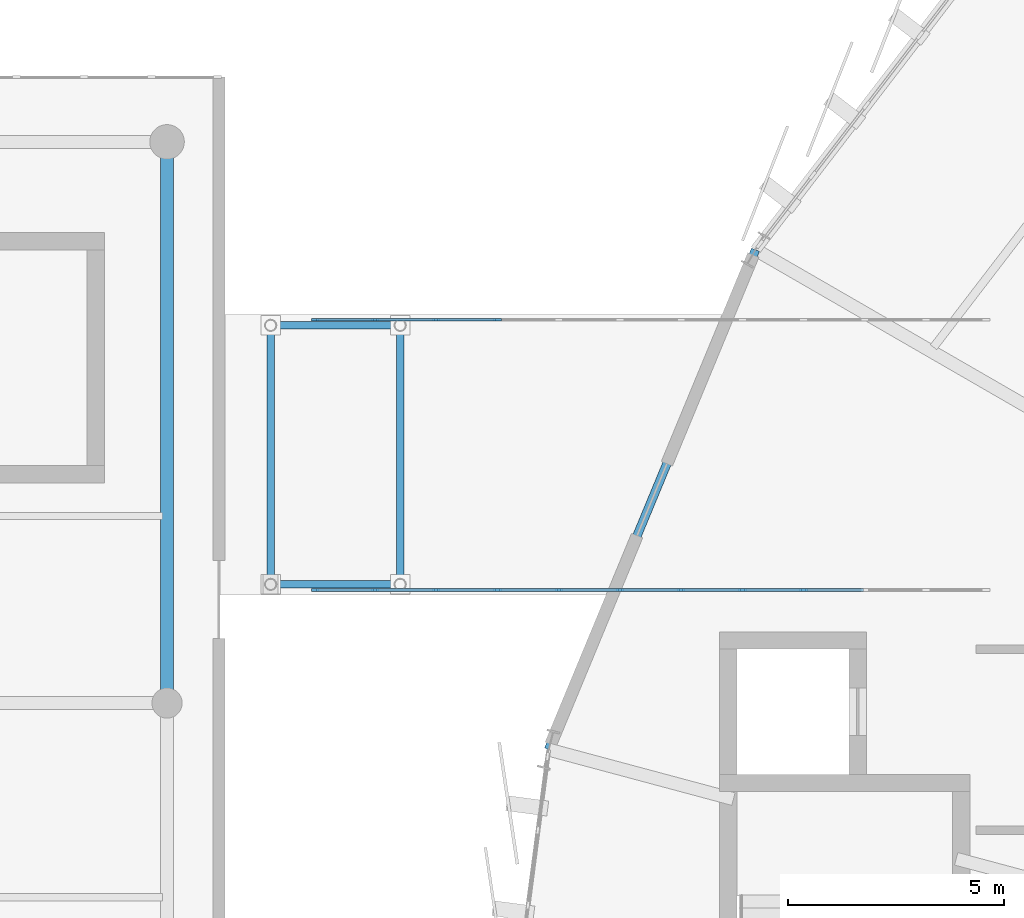
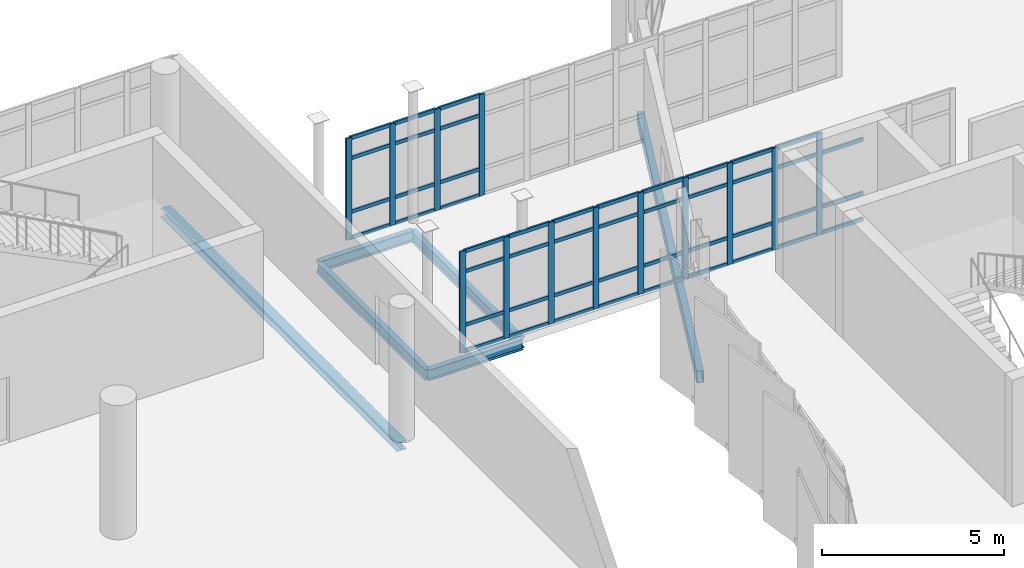
# One storey, part 48 of 134: 60 members, 6 beams, 2 elements without a shape of their own.
"""IFC4 building model written with IfcOpenShell, lengths in metres."""

from ifc_helpers import new_model, si_unit, direction, frame, origin, origin_2d, place, context, subcontext, project, spatial, rectangle, hollow_rectangle, i_section, extrude, material, layer, layer_set, material_profile, profile_set, type_object, element, aggregate, save


model = new_model("IFC4")

# Units and contexts
model_context = context("Model", 3, precision=1e-05, world=origin(), true_north=direction((0.0, 1.0)))
body_context = subcontext(model_context, "Body", "Model", "MODEL_VIEW")
ifc_project = project(units=[si_unit("LENGTHUNIT", "METRE"), si_unit("AREAUNIT", "SQUARE_METRE"), si_unit("VOLUMEUNIT", "CUBIC_METRE"), si_unit("PLANEANGLEUNIT", "RADIAN"), si_unit("MASSUNIT", "GRAM", prefix="KILO")], contexts=[model_context])

# Site, building, storey
site_placement = place(None, origin())
site = spatial("IfcSite", under=ifc_project, at=site_placement, CompositionType="ELEMENT")
building_placement = place(site_placement, origin())
building = spatial("IfcBuilding", under=site, at=building_placement, Name="Sohan Crest Arena", CompositionType="ELEMENT")
storey_placement = place(building_placement, frame((0.0, 0.0, 4.5)))
storey = spatial("IfcBuildingStorey", under=building, at=storey_placement, Name="L01", CompositionType="ELEMENT", Elevation=4.5)

# Curtain wall, members
ifc_material_1 = material(Name="Thermally broken anodised aluminium", Category="aluminium")
ifc_layer = layer(ifc_material_1, 0.18994140625, Name="Thermally broken anodised aluminium")
ifc_layer_set = layer_set([ifc_layer], Name="Thermally broken anodised aluminium")
curtain_wall_type = type_object("IfcCurtainWallType", Name="ARC-CW05", PredefinedType="NOTDEFINED", material=ifc_layer_set)
curtain_wall_1_placement = place(storey_placement, origin())
curtain_wall_1 = element("IfcCurtainWall", 1, at=curtain_wall_1_placement, inside=storey, type_object=curtain_wall_type, Name="Unitised curtain wall CW-233", PredefinedType="NOTDEFINED")
ifc_material_profile_1 = material_profile(ifc_material_1, rectangle(XDim=0.06494140625, YDim=0.179931640625, at=origin_2d()), Name="ALU-MULL 65x180")
ifc_profile_set_1 = profile_set([ifc_material_profile_1], Name="Thermally broken anodised aluminium")
member_type_1 = type_object("IfcMemberType", Name="ARC-CW-ML02", PredefinedType="MULLION", material=ifc_profile_set_1)
member_1_placement = place(storey_placement, frame((46.232421875, 94.1201171875, 0.0), z_axis=(0.0, 0.0, 1.0), x_axis=(0.0, 1.0, 0.0)))
member_1 = element("IfcMember", 2, at=member_1_placement, type_object=member_type_1, Name="CW-233 mullion 1", PredefinedType="MULLION", context=body_context, shape_type="SweptSolid", body=[
    extrude(rectangle(XDim=0.06494140625, YDim=0.179931640625, at=origin_2d()), origin(), (0.0, 0.0, 1.0), 3.39990234375),
])
member_2_placement = place(storey_placement, frame((47.6181640625, 94.1201171875, 0.0), z_axis=(0.0, 0.0, 1.0), x_axis=(0.0, 1.0, 0.0)))
member_2 = element("IfcMember", 3, at=member_2_placement, type_object=member_type_1, Name="CW-233 mullion 2", PredefinedType="MULLION", context=body_context, shape_type="SweptSolid", body=[
    extrude(rectangle(XDim=0.06494140625, YDim=0.179931640625, at=origin_2d()), origin(), (0.0, 0.0, 1.0), 3.39990234375),
])
member_3_placement = place(storey_placement, frame((49.036376953125, 94.1201171875, 0.0), z_axis=(0.0, 0.0, 1.0), x_axis=(0.0, 1.0, 0.0)))
member_3 = element("IfcMember", 4, at=member_3_placement, type_object=member_type_1, Name="CW-233 mullion 3", PredefinedType="MULLION", context=body_context, shape_type="SweptSolid", body=[
    extrude(rectangle(XDim=0.06494140625, YDim=0.179931640625, at=origin_2d()), origin(), (0.0, 0.0, 1.0), 3.39990234375),
])
member_4_placement = place(storey_placement, frame((50.45458984375, 94.1201171875, 0.0), z_axis=(0.0, 0.0, 1.0), x_axis=(0.0, 1.0, 0.0)))
member_4 = element("IfcMember", 5, at=member_4_placement, type_object=member_type_1, Name="CW-233 mullion 4", PredefinedType="MULLION", context=body_context, shape_type="SweptSolid", body=[
    extrude(rectangle(XDim=0.06494140625, YDim=0.179931640625, at=origin_2d()), origin(), (0.0, 0.0, 1.0), 3.39990234375),
])
member_5_placement = place(storey_placement, frame((51.872802734375, 94.1201171875, 0.0), z_axis=(0.0, 0.0, 1.0), x_axis=(0.0, 1.0, 0.0)))
member_5 = element("IfcMember", 6, at=member_5_placement, type_object=member_type_1, Name="CW-233 mullion 5", PredefinedType="MULLION", context=body_context, shape_type="SweptSolid", body=[
    extrude(rectangle(XDim=0.06494140625, YDim=0.179931640625, at=origin_2d()), origin(), (0.0, 0.0, 1.0), 3.39990234375),
])
member_6_placement = place(storey_placement, frame((53.291015625, 94.1201171875, 0.0), z_axis=(0.0, 0.0, 1.0), x_axis=(0.0, 1.0, 0.0)))
member_6 = element("IfcMember", 7, at=member_6_placement, type_object=member_type_1, Name="CW-233 mullion 6", PredefinedType="MULLION", context=body_context, shape_type="SweptSolid", body=[
    extrude(rectangle(XDim=0.06494140625, YDim=0.179931640625, at=origin_2d()), origin(), (0.0, 0.0, 1.0), 3.39990234375),
])
member_7_placement = place(storey_placement, frame((54.708984375, 94.1201171875, 0.0), z_axis=(0.0, 0.0, 1.0), x_axis=(0.0, 1.0, 0.0)))
member_7 = element("IfcMember", 8, at=member_7_placement, type_object=member_type_1, Name="CW-233 mullion 7", PredefinedType="MULLION", context=body_context, shape_type="SweptSolid", body=[
    extrude(rectangle(XDim=0.06494140625, YDim=0.179931640625, at=origin_2d()), origin(), (0.0, 0.0, 1.0), 3.39990234375),
])
member_8_placement = place(storey_placement, frame((56.127197265625, 94.1201171875, 0.0), z_axis=(0.0, 0.0, 1.0), x_axis=(0.0, 1.0, 0.0)))
member_8 = element("IfcMember", 9, at=member_8_placement, type_object=member_type_1, Name="CW-233 mullion 8", PredefinedType="MULLION", context=body_context, shape_type="SweptSolid", body=[
    extrude(rectangle(XDim=0.06494140625, YDim=0.179931640625, at=origin_2d()), origin(), (0.0, 0.0, 1.0), 3.39990234375),
])
member_9_placement = place(storey_placement, frame((57.54541015625, 94.1201171875, 0.0), z_axis=(0.0, 0.0, 1.0), x_axis=(0.0, 1.0, 0.0)))
member_9 = element("IfcMember", 10, at=member_9_placement, type_object=member_type_1, Name="CW-233 mullion 9", PredefinedType="MULLION", context=body_context, shape_type="SweptSolid", body=[
    extrude(rectangle(XDim=0.06494140625, YDim=0.179931640625, at=origin_2d()), origin(), (0.0, 0.0, 1.0), 3.39990234375),
])

curtain_wall_2_placement = place(storey_placement, origin())
curtain_wall_2 = element("IfcCurtainWall", 11, at=curtain_wall_2_placement, inside=storey, type_object=curtain_wall_type, Name="Unitised curtain wall CW-234", PredefinedType="NOTDEFINED")
member_10_placement = place(storey_placement, frame((46.232421875, 100.3798828125, 0.0), z_axis=(0.0, 0.0, 1.0), x_axis=(0.0, 1.0, 0.0)))
member_10 = element("IfcMember", 12, at=member_10_placement, type_object=member_type_1, Name="CW-234 mullion 1", PredefinedType="MULLION", context=body_context, shape_type="SweptSolid", body=[
    extrude(rectangle(XDim=0.06494140625, YDim=0.179931640625, at=origin_2d()), origin(), (0.0, 0.0, 1.0), 3.39990234375),
])
member_11_placement = place(storey_placement, frame((47.6181640625, 100.3798828125, 0.0), z_axis=(0.0, 0.0, 1.0), x_axis=(0.0, 1.0, 0.0)))
member_11 = element("IfcMember", 13, at=member_11_placement, type_object=member_type_1, Name="CW-234 mullion 2", PredefinedType="MULLION", context=body_context, shape_type="SweptSolid", body=[
    extrude(rectangle(XDim=0.06494140625, YDim=0.179931640625, at=origin_2d()), origin(), (0.0, 0.0, 1.0), 3.39990234375),
])
member_12_placement = place(storey_placement, frame((49.036376953125, 100.3798828125, 0.0), z_axis=(0.0, 0.0, 1.0), x_axis=(0.0, 1.0, 0.0)))
member_12 = element("IfcMember", 14, at=member_12_placement, type_object=member_type_1, Name="CW-234 mullion 3", PredefinedType="MULLION", context=body_context, shape_type="SweptSolid", body=[
    extrude(rectangle(XDim=0.06494140625, YDim=0.179931640625, at=origin_2d()), origin(), (0.0, 0.0, 1.0), 3.39990234375),
])
member_13_placement = place(storey_placement, frame((50.45458984375, 100.3798828125, 0.0), z_axis=(0.0, 0.0, 1.0), x_axis=(0.0, 1.0, 0.0)))
member_13 = element("IfcMember", 15, at=member_13_placement, type_object=member_type_1, Name="CW-234 mullion 4", PredefinedType="MULLION", context=body_context, shape_type="SweptSolid", body=[
    extrude(rectangle(XDim=0.06494140625, YDim=0.179931640625, at=origin_2d()), origin(), (0.0, 0.0, 1.0), 3.39990234375),
])

# Member
ifc_material_profile_2 = material_profile(ifc_material_1, rectangle(XDim=0.06005859375, YDim=0.1201171875, at=origin_2d()), Name="ALU-TRAN 60x120")
ifc_profile_set_2 = profile_set([ifc_material_profile_2], Name="Thermally broken anodised aluminium")
member_type_2 = type_object("IfcMemberType", Name="ARC-CW-TR01", PredefinedType="USERDEFINED", material=ifc_profile_set_2)
member_14_placement = place(storey_placement, frame((46.264892578125, 94.1201171875, 0.030029296875), z_axis=(1.0, 0.0, 0.0), x_axis=(0.0, 1.0, 0.0)))
member_14 = element("IfcMember", 16, at=member_14_placement, type_object=member_type_2, Name="CW-233 transom 1.1", ObjectType="TRANSOM", PredefinedType="USERDEFINED", context=body_context, shape_type="SweptSolid", body=[
    extrude(rectangle(XDim=0.06005859375, YDim=0.1201171875, at=origin_2d()), origin(), (0.0, 0.0, 1.0), 1.32080078125),
])

member_15_placement = place(storey_placement, frame((46.264892578125, 94.1201171875, 0.89990234375), z_axis=(1.0, 0.0, 0.0), x_axis=(0.0, 1.0, 0.0)))
member_15 = element("IfcMember", 17, at=member_15_placement, type_object=member_type_2, Name="CW-233 transom 1.2", ObjectType="TRANSOM", PredefinedType="USERDEFINED", context=body_context, shape_type="SweptSolid", body=[
    extrude(rectangle(XDim=0.06005859375, YDim=0.1201171875, at=origin_2d()), origin(), (0.0, 0.0, 1.0), 1.32080078125),
])

member_16_placement = place(storey_placement, frame((46.264892578125, 94.1201171875, 2.699951171875), z_axis=(1.0, 0.0, 0.0), x_axis=(0.0, 1.0, 0.0)))
member_16 = element("IfcMember", 18, at=member_16_placement, type_object=member_type_2, Name="CW-233 transom 1.3", ObjectType="TRANSOM", PredefinedType="USERDEFINED", context=body_context, shape_type="SweptSolid", body=[
    extrude(rectangle(XDim=0.06005859375, YDim=0.1201171875, at=origin_2d()), origin(), (0.0, 0.0, 1.0), 1.32080078125),
])

member_17_placement = place(storey_placement, frame((46.264892578125, 94.1201171875, 3.3701171875), z_axis=(1.0, 0.0, 0.0), x_axis=(0.0, 1.0, 0.0)))
member_17 = element("IfcMember", 19, at=member_17_placement, type_object=member_type_2, Name="CW-233 transom 1.4", ObjectType="TRANSOM", PredefinedType="USERDEFINED", context=body_context, shape_type="SweptSolid", body=[
    extrude(rectangle(XDim=0.06005859375, YDim=0.1201171875, at=origin_2d()), origin(), (0.0, 0.0, 1.0), 1.32080078125),
])

member_18_placement = place(storey_placement, frame((47.650634765625, 94.1201171875, 0.030029296875), z_axis=(1.0, 0.0, 0.0), x_axis=(0.0, 1.0, 0.0)))
member_18 = element("IfcMember", 20, at=member_18_placement, type_object=member_type_2, Name="CW-233 transom 2.1", ObjectType="TRANSOM", PredefinedType="USERDEFINED", context=body_context, shape_type="SweptSolid", body=[
    extrude(rectangle(XDim=0.06005859375, YDim=0.1201171875, at=origin_2d()), origin(), (0.0, 0.0, 1.0), 1.353271484375),
])

member_19_placement = place(storey_placement, frame((47.650634765625, 94.1201171875, 0.89990234375), z_axis=(1.0, 0.0, 0.0), x_axis=(0.0, 1.0, 0.0)))
member_19 = element("IfcMember", 21, at=member_19_placement, type_object=member_type_2, Name="CW-233 transom 2.2", ObjectType="TRANSOM", PredefinedType="USERDEFINED", context=body_context, shape_type="SweptSolid", body=[
    extrude(rectangle(XDim=0.06005859375, YDim=0.1201171875, at=origin_2d()), origin(), (0.0, 0.0, 1.0), 1.353271484375),
])

member_20_placement = place(storey_placement, frame((47.650634765625, 94.1201171875, 2.699951171875), z_axis=(1.0, 0.0, 0.0), x_axis=(0.0, 1.0, 0.0)))
member_20 = element("IfcMember", 22, at=member_20_placement, type_object=member_type_2, Name="CW-233 transom 2.3", ObjectType="TRANSOM", PredefinedType="USERDEFINED", context=body_context, shape_type="SweptSolid", body=[
    extrude(rectangle(XDim=0.06005859375, YDim=0.1201171875, at=origin_2d()), origin(), (0.0, 0.0, 1.0), 1.353271484375),
])

member_21_placement = place(storey_placement, frame((47.650634765625, 94.1201171875, 3.3701171875), z_axis=(1.0, 0.0, 0.0), x_axis=(0.0, 1.0, 0.0)))
member_21 = element("IfcMember", 23, at=member_21_placement, type_object=member_type_2, Name="CW-233 transom 2.4", ObjectType="TRANSOM", PredefinedType="USERDEFINED", context=body_context, shape_type="SweptSolid", body=[
    extrude(rectangle(XDim=0.06005859375, YDim=0.1201171875, at=origin_2d()), origin(), (0.0, 0.0, 1.0), 1.353271484375),
])

member_22_placement = place(storey_placement, frame((49.06884765625, 94.1201171875, 0.030029296875), z_axis=(1.0, 0.0, 0.0), x_axis=(0.0, 1.0, 0.0)))
member_22 = element("IfcMember", 24, at=member_22_placement, type_object=member_type_2, Name="CW-233 transom 3.1", ObjectType="TRANSOM", PredefinedType="USERDEFINED", context=body_context, shape_type="SweptSolid", body=[
    extrude(rectangle(XDim=0.06005859375, YDim=0.1201171875, at=origin_2d()), origin(), (0.0, 0.0, 1.0), 1.353271484375),
])

member_23_placement = place(storey_placement, frame((49.06884765625, 94.1201171875, 0.89990234375), z_axis=(1.0, 0.0, 0.0), x_axis=(0.0, 1.0, 0.0)))
member_23 = element("IfcMember", 25, at=member_23_placement, type_object=member_type_2, Name="CW-233 transom 3.2", ObjectType="TRANSOM", PredefinedType="USERDEFINED", context=body_context, shape_type="SweptSolid", body=[
    extrude(rectangle(XDim=0.06005859375, YDim=0.1201171875, at=origin_2d()), origin(), (0.0, 0.0, 1.0), 1.353271484375),
])

member_24_placement = place(storey_placement, frame((49.06884765625, 94.1201171875, 2.699951171875), z_axis=(1.0, 0.0, 0.0), x_axis=(0.0, 1.0, 0.0)))
member_24 = element("IfcMember", 26, at=member_24_placement, type_object=member_type_2, Name="CW-233 transom 3.3", ObjectType="TRANSOM", PredefinedType="USERDEFINED", context=body_context, shape_type="SweptSolid", body=[
    extrude(rectangle(XDim=0.06005859375, YDim=0.1201171875, at=origin_2d()), origin(), (0.0, 0.0, 1.0), 1.353271484375),
])

member_25_placement = place(storey_placement, frame((49.06884765625, 94.1201171875, 3.3701171875), z_axis=(1.0, 0.0, 0.0), x_axis=(0.0, 1.0, 0.0)))
member_25 = element("IfcMember", 27, at=member_25_placement, type_object=member_type_2, Name="CW-233 transom 3.4", ObjectType="TRANSOM", PredefinedType="USERDEFINED", context=body_context, shape_type="SweptSolid", body=[
    extrude(rectangle(XDim=0.06005859375, YDim=0.1201171875, at=origin_2d()), origin(), (0.0, 0.0, 1.0), 1.353271484375),
])

member_26_placement = place(storey_placement, frame((50.487060546875, 94.1201171875, 0.030029296875), z_axis=(1.0, 0.0, 0.0), x_axis=(0.0, 1.0, 0.0)))
member_26 = element("IfcMember", 28, at=member_26_placement, type_object=member_type_2, Name="CW-233 transom 4.1", ObjectType="TRANSOM", PredefinedType="USERDEFINED", context=body_context, shape_type="SweptSolid", body=[
    extrude(rectangle(XDim=0.06005859375, YDim=0.1201171875, at=origin_2d()), origin(), (0.0, 0.0, 1.0), 1.353271484375),
])

member_27_placement = place(storey_placement, frame((50.487060546875, 94.1201171875, 0.89990234375), z_axis=(1.0, 0.0, 0.0), x_axis=(0.0, 1.0, 0.0)))
member_27 = element("IfcMember", 29, at=member_27_placement, type_object=member_type_2, Name="CW-233 transom 4.2", ObjectType="TRANSOM", PredefinedType="USERDEFINED", context=body_context, shape_type="SweptSolid", body=[
    extrude(rectangle(XDim=0.06005859375, YDim=0.1201171875, at=origin_2d()), origin(), (0.0, 0.0, 1.0), 1.353271484375),
])

member_28_placement = place(storey_placement, frame((50.487060546875, 94.1201171875, 2.699951171875), z_axis=(1.0, 0.0, 0.0), x_axis=(0.0, 1.0, 0.0)))
member_28 = element("IfcMember", 30, at=member_28_placement, type_object=member_type_2, Name="CW-233 transom 4.3", ObjectType="TRANSOM", PredefinedType="USERDEFINED", context=body_context, shape_type="SweptSolid", body=[
    extrude(rectangle(XDim=0.06005859375, YDim=0.1201171875, at=origin_2d()), origin(), (0.0, 0.0, 1.0), 1.353271484375),
])

member_29_placement = place(storey_placement, frame((50.487060546875, 94.1201171875, 3.3701171875), z_axis=(1.0, 0.0, 0.0), x_axis=(0.0, 1.0, 0.0)))
member_29 = element("IfcMember", 31, at=member_29_placement, type_object=member_type_2, Name="CW-233 transom 4.4", ObjectType="TRANSOM", PredefinedType="USERDEFINED", context=body_context, shape_type="SweptSolid", body=[
    extrude(rectangle(XDim=0.06005859375, YDim=0.1201171875, at=origin_2d()), origin(), (0.0, 0.0, 1.0), 1.353271484375),
])

member_30_placement = place(storey_placement, frame((51.9052734375, 94.1201171875, 0.030029296875), z_axis=(1.0, 0.0, 0.0), x_axis=(0.0, 1.0, 0.0)))
member_30 = element("IfcMember", 32, at=member_30_placement, type_object=member_type_2, Name="CW-233 transom 5.1", ObjectType="TRANSOM", PredefinedType="USERDEFINED", context=body_context, shape_type="SweptSolid", body=[
    extrude(rectangle(XDim=0.06005859375, YDim=0.1201171875, at=origin_2d()), origin(), (0.0, 0.0, 1.0), 1.35302734375),
])

member_31_placement = place(storey_placement, frame((51.9052734375, 94.1201171875, 0.89990234375), z_axis=(1.0, 0.0, 0.0), x_axis=(0.0, 1.0, 0.0)))
member_31 = element("IfcMember", 33, at=member_31_placement, type_object=member_type_2, Name="CW-233 transom 5.2", ObjectType="TRANSOM", PredefinedType="USERDEFINED", context=body_context, shape_type="SweptSolid", body=[
    extrude(rectangle(XDim=0.06005859375, YDim=0.1201171875, at=origin_2d()), origin(), (0.0, 0.0, 1.0), 1.35302734375),
])

member_32_placement = place(storey_placement, frame((51.9052734375, 94.1201171875, 2.699951171875), z_axis=(1.0, 0.0, 0.0), x_axis=(0.0, 1.0, 0.0)))
member_32 = element("IfcMember", 34, at=member_32_placement, type_object=member_type_2, Name="CW-233 transom 5.3", ObjectType="TRANSOM", PredefinedType="USERDEFINED", context=body_context, shape_type="SweptSolid", body=[
    extrude(rectangle(XDim=0.06005859375, YDim=0.1201171875, at=origin_2d()), origin(), (0.0, 0.0, 1.0), 1.35302734375),
])

member_33_placement = place(storey_placement, frame((51.9052734375, 94.1201171875, 3.3701171875), z_axis=(1.0, 0.0, 0.0), x_axis=(0.0, 1.0, 0.0)))
member_33 = element("IfcMember", 35, at=member_33_placement, type_object=member_type_2, Name="CW-233 transom 5.4", ObjectType="TRANSOM", PredefinedType="USERDEFINED", context=body_context, shape_type="SweptSolid", body=[
    extrude(rectangle(XDim=0.06005859375, YDim=0.1201171875, at=origin_2d()), origin(), (0.0, 0.0, 1.0), 1.35302734375),
])

member_34_placement = place(storey_placement, frame((53.323486328125, 94.1201171875, 0.030029296875), z_axis=(1.0, 0.0, 0.0), x_axis=(0.0, 1.0, 0.0)))
member_34 = element("IfcMember", 36, at=member_34_placement, type_object=member_type_2, Name="CW-233 transom 6.1", ObjectType="TRANSOM", PredefinedType="USERDEFINED", context=body_context, shape_type="SweptSolid", body=[
    extrude(rectangle(XDim=0.06005859375, YDim=0.1201171875, at=origin_2d()), origin(), (0.0, 0.0, 1.0), 1.35302734375),
])

member_35_placement = place(storey_placement, frame((53.323486328125, 94.1201171875, 0.89990234375), z_axis=(1.0, 0.0, 0.0), x_axis=(0.0, 1.0, 0.0)))
member_35 = element("IfcMember", 37, at=member_35_placement, type_object=member_type_2, Name="CW-233 transom 6.2", ObjectType="TRANSOM", PredefinedType="USERDEFINED", context=body_context, shape_type="SweptSolid", body=[
    extrude(rectangle(XDim=0.06005859375, YDim=0.1201171875, at=origin_2d()), origin(), (0.0, 0.0, 1.0), 1.35302734375),
])

member_36_placement = place(storey_placement, frame((53.323486328125, 94.1201171875, 2.699951171875), z_axis=(1.0, 0.0, 0.0), x_axis=(0.0, 1.0, 0.0)))
member_36 = element("IfcMember", 38, at=member_36_placement, type_object=member_type_2, Name="CW-233 transom 6.3", ObjectType="TRANSOM", PredefinedType="USERDEFINED", context=body_context, shape_type="SweptSolid", body=[
    extrude(rectangle(XDim=0.06005859375, YDim=0.1201171875, at=origin_2d()), origin(), (0.0, 0.0, 1.0), 1.35302734375),
])

member_37_placement = place(storey_placement, frame((53.323486328125, 94.1201171875, 3.3701171875), z_axis=(1.0, 0.0, 0.0), x_axis=(0.0, 1.0, 0.0)))
member_37 = element("IfcMember", 39, at=member_37_placement, type_object=member_type_2, Name="CW-233 transom 6.4", ObjectType="TRANSOM", PredefinedType="USERDEFINED", context=body_context, shape_type="SweptSolid", body=[
    extrude(rectangle(XDim=0.06005859375, YDim=0.1201171875, at=origin_2d()), origin(), (0.0, 0.0, 1.0), 1.35302734375),
])

member_38_placement = place(storey_placement, frame((54.74169921875, 94.1201171875, 0.030029296875), z_axis=(1.0, 0.0, 0.0), x_axis=(0.0, 1.0, 0.0)))
member_38 = element("IfcMember", 40, at=member_38_placement, type_object=member_type_2, Name="CW-233 transom 7.1", ObjectType="TRANSOM", PredefinedType="USERDEFINED", context=body_context, shape_type="SweptSolid", body=[
    extrude(rectangle(XDim=0.06005859375, YDim=0.1201171875, at=origin_2d()), origin(), (0.0, 0.0, 1.0), 1.35302734375),
])

member_39_placement = place(storey_placement, frame((54.74169921875, 94.1201171875, 0.89990234375), z_axis=(1.0, 0.0, 0.0), x_axis=(0.0, 1.0, 0.0)))
member_39 = element("IfcMember", 41, at=member_39_placement, type_object=member_type_2, Name="CW-233 transom 7.2", ObjectType="TRANSOM", PredefinedType="USERDEFINED", context=body_context, shape_type="SweptSolid", body=[
    extrude(rectangle(XDim=0.06005859375, YDim=0.1201171875, at=origin_2d()), origin(), (0.0, 0.0, 1.0), 1.35302734375),
])

member_40_placement = place(storey_placement, frame((54.74169921875, 94.1201171875, 2.699951171875), z_axis=(1.0, 0.0, 0.0), x_axis=(0.0, 1.0, 0.0)))
member_40 = element("IfcMember", 42, at=member_40_placement, type_object=member_type_2, Name="CW-233 transom 7.3", ObjectType="TRANSOM", PredefinedType="USERDEFINED", context=body_context, shape_type="SweptSolid", body=[
    extrude(rectangle(XDim=0.06005859375, YDim=0.1201171875, at=origin_2d()), origin(), (0.0, 0.0, 1.0), 1.35302734375),
])

member_41_placement = place(storey_placement, frame((54.74169921875, 94.1201171875, 3.3701171875), z_axis=(1.0, 0.0, 0.0), x_axis=(0.0, 1.0, 0.0)))
member_41 = element("IfcMember", 43, at=member_41_placement, type_object=member_type_2, Name="CW-233 transom 7.4", ObjectType="TRANSOM", PredefinedType="USERDEFINED", context=body_context, shape_type="SweptSolid", body=[
    extrude(rectangle(XDim=0.06005859375, YDim=0.1201171875, at=origin_2d()), origin(), (0.0, 0.0, 1.0), 1.35302734375),
])

member_42_placement = place(storey_placement, frame((56.15966796875, 94.1201171875, 0.030029296875), z_axis=(1.0, 0.0, 0.0), x_axis=(0.0, 1.0, 0.0)))
member_42 = element("IfcMember", 44, at=member_42_placement, type_object=member_type_2, Name="CW-233 transom 8.1", ObjectType="TRANSOM", PredefinedType="USERDEFINED", context=body_context, shape_type="SweptSolid", body=[
    extrude(rectangle(XDim=0.06005859375, YDim=0.1201171875, at=origin_2d()), origin(), (0.0, 0.0, 1.0), 1.353271484375),
])

member_43_placement = place(storey_placement, frame((56.15966796875, 94.1201171875, 0.89990234375), z_axis=(1.0, 0.0, 0.0), x_axis=(0.0, 1.0, 0.0)))
member_43 = element("IfcMember", 45, at=member_43_placement, type_object=member_type_2, Name="CW-233 transom 8.2", ObjectType="TRANSOM", PredefinedType="USERDEFINED", context=body_context, shape_type="SweptSolid", body=[
    extrude(rectangle(XDim=0.06005859375, YDim=0.1201171875, at=origin_2d()), origin(), (0.0, 0.0, 1.0), 1.353271484375),
])

member_44_placement = place(storey_placement, frame((56.15966796875, 94.1201171875, 2.699951171875), z_axis=(1.0, 0.0, 0.0), x_axis=(0.0, 1.0, 0.0)))
member_44 = element("IfcMember", 46, at=member_44_placement, type_object=member_type_2, Name="CW-233 transom 8.3", ObjectType="TRANSOM", PredefinedType="USERDEFINED", context=body_context, shape_type="SweptSolid", body=[
    extrude(rectangle(XDim=0.06005859375, YDim=0.1201171875, at=origin_2d()), origin(), (0.0, 0.0, 1.0), 1.353271484375),
])

member_45_placement = place(storey_placement, frame((56.15966796875, 94.1201171875, 3.3701171875), z_axis=(1.0, 0.0, 0.0), x_axis=(0.0, 1.0, 0.0)))
member_45 = element("IfcMember", 47, at=member_45_placement, type_object=member_type_2, Name="CW-233 transom 8.4", ObjectType="TRANSOM", PredefinedType="USERDEFINED", context=body_context, shape_type="SweptSolid", body=[
    extrude(rectangle(XDim=0.06005859375, YDim=0.1201171875, at=origin_2d()), origin(), (0.0, 0.0, 1.0), 1.353271484375),
])

member_46_placement = place(storey_placement, frame((57.577880859375, 94.1201171875, 0.030029296875), z_axis=(1.0, 0.0, 0.0), x_axis=(0.0, 1.0, 0.0)))
member_46 = element("IfcMember", 48, at=member_46_placement, type_object=member_type_2, Name="CW-233 transom 9.1", ObjectType="TRANSOM", PredefinedType="USERDEFINED", context=body_context, shape_type="SweptSolid", body=[
    extrude(rectangle(XDim=0.06005859375, YDim=0.1201171875, at=origin_2d()), origin(), (0.0, 0.0, 1.0), 1.353271484375),
])

member_47_placement = place(storey_placement, frame((57.577880859375, 94.1201171875, 0.89990234375), z_axis=(1.0, 0.0, 0.0), x_axis=(0.0, 1.0, 0.0)))
member_47 = element("IfcMember", 49, at=member_47_placement, type_object=member_type_2, Name="CW-233 transom 9.2", ObjectType="TRANSOM", PredefinedType="USERDEFINED", context=body_context, shape_type="SweptSolid", body=[
    extrude(rectangle(XDim=0.06005859375, YDim=0.1201171875, at=origin_2d()), origin(), (0.0, 0.0, 1.0), 1.353271484375),
])

member_48_placement = place(storey_placement, frame((57.577880859375, 94.1201171875, 2.699951171875), z_axis=(1.0, 0.0, 0.0), x_axis=(0.0, 1.0, 0.0)))
member_48 = element("IfcMember", 50, at=member_48_placement, type_object=member_type_2, Name="CW-233 transom 9.3", ObjectType="TRANSOM", PredefinedType="USERDEFINED", context=body_context, shape_type="SweptSolid", body=[
    extrude(rectangle(XDim=0.06005859375, YDim=0.1201171875, at=origin_2d()), origin(), (0.0, 0.0, 1.0), 1.353271484375),
])

aggregate(curtain_wall_1, [member_1, member_2, member_3, member_4, member_5, member_6, member_7, member_8, member_9, member_14, member_15, member_16, member_17, member_18, member_19, member_20, member_21, member_22, member_23, member_24, member_25, member_26, member_27, member_28, member_29, member_30, member_31, member_32, member_33, member_34, member_35, member_36, member_37, member_38, member_39, member_40, member_41, member_42, member_43, member_44, member_45, member_46, member_47, member_48])

member_49_placement = place(storey_placement, frame((46.264892578125, 100.3798828125, 0.030029296875), z_axis=(1.0, 0.0, 0.0), x_axis=(0.0, 1.0, 0.0)))
member_49 = element("IfcMember", 51, at=member_49_placement, type_object=member_type_2, Name="CW-234 transom 1.1", ObjectType="TRANSOM", PredefinedType="USERDEFINED", context=body_context, shape_type="SweptSolid", body=[
    extrude(rectangle(XDim=0.06005859375, YDim=0.1201171875, at=origin_2d()), origin(), (0.0, 0.0, 1.0), 1.32080078125),
])

member_50_placement = place(storey_placement, frame((46.264892578125, 100.3798828125, 0.89990234375), z_axis=(1.0, 0.0, 0.0), x_axis=(0.0, 1.0, 0.0)))
member_50 = element("IfcMember", 52, at=member_50_placement, type_object=member_type_2, Name="CW-234 transom 1.2", ObjectType="TRANSOM", PredefinedType="USERDEFINED", context=body_context, shape_type="SweptSolid", body=[
    extrude(rectangle(XDim=0.06005859375, YDim=0.1201171875, at=origin_2d()), origin(), (0.0, 0.0, 1.0), 1.32080078125),
])

member_51_placement = place(storey_placement, frame((46.264892578125, 100.3798828125, 2.699951171875), z_axis=(1.0, 0.0, 0.0), x_axis=(0.0, 1.0, 0.0)))
member_51 = element("IfcMember", 53, at=member_51_placement, type_object=member_type_2, Name="CW-234 transom 1.3", ObjectType="TRANSOM", PredefinedType="USERDEFINED", context=body_context, shape_type="SweptSolid", body=[
    extrude(rectangle(XDim=0.06005859375, YDim=0.1201171875, at=origin_2d()), origin(), (0.0, 0.0, 1.0), 1.32080078125),
])

member_52_placement = place(storey_placement, frame((46.264892578125, 100.3798828125, 3.3701171875), z_axis=(1.0, 0.0, 0.0), x_axis=(0.0, 1.0, 0.0)))
member_52 = element("IfcMember", 54, at=member_52_placement, type_object=member_type_2, Name="CW-234 transom 1.4", ObjectType="TRANSOM", PredefinedType="USERDEFINED", context=body_context, shape_type="SweptSolid", body=[
    extrude(rectangle(XDim=0.06005859375, YDim=0.1201171875, at=origin_2d()), origin(), (0.0, 0.0, 1.0), 1.32080078125),
])

member_53_placement = place(storey_placement, frame((47.650634765625, 100.3798828125, 0.030029296875), z_axis=(1.0, 0.0, 0.0), x_axis=(0.0, 1.0, 0.0)))
member_53 = element("IfcMember", 55, at=member_53_placement, type_object=member_type_2, Name="CW-234 transom 2.1", ObjectType="TRANSOM", PredefinedType="USERDEFINED", context=body_context, shape_type="SweptSolid", body=[
    extrude(rectangle(XDim=0.06005859375, YDim=0.1201171875, at=origin_2d()), origin(), (0.0, 0.0, 1.0), 1.353271484375),
])

member_54_placement = place(storey_placement, frame((47.650634765625, 100.3798828125, 0.89990234375), z_axis=(1.0, 0.0, 0.0), x_axis=(0.0, 1.0, 0.0)))
member_54 = element("IfcMember", 56, at=member_54_placement, type_object=member_type_2, Name="CW-234 transom 2.2", ObjectType="TRANSOM", PredefinedType="USERDEFINED", context=body_context, shape_type="SweptSolid", body=[
    extrude(rectangle(XDim=0.06005859375, YDim=0.1201171875, at=origin_2d()), origin(), (0.0, 0.0, 1.0), 1.353271484375),
])

member_55_placement = place(storey_placement, frame((47.650634765625, 100.3798828125, 2.699951171875), z_axis=(1.0, 0.0, 0.0), x_axis=(0.0, 1.0, 0.0)))
member_55 = element("IfcMember", 57, at=member_55_placement, type_object=member_type_2, Name="CW-234 transom 2.3", ObjectType="TRANSOM", PredefinedType="USERDEFINED", context=body_context, shape_type="SweptSolid", body=[
    extrude(rectangle(XDim=0.06005859375, YDim=0.1201171875, at=origin_2d()), origin(), (0.0, 0.0, 1.0), 1.353271484375),
])

member_56_placement = place(storey_placement, frame((47.650634765625, 100.3798828125, 3.3701171875), z_axis=(1.0, 0.0, 0.0), x_axis=(0.0, 1.0, 0.0)))
member_56 = element("IfcMember", 58, at=member_56_placement, type_object=member_type_2, Name="CW-234 transom 2.4", ObjectType="TRANSOM", PredefinedType="USERDEFINED", context=body_context, shape_type="SweptSolid", body=[
    extrude(rectangle(XDim=0.06005859375, YDim=0.1201171875, at=origin_2d()), origin(), (0.0, 0.0, 1.0), 1.353271484375),
])

member_57_placement = place(storey_placement, frame((49.06884765625, 100.3798828125, 0.030029296875), z_axis=(1.0, 0.0, 0.0), x_axis=(0.0, 1.0, 0.0)))
member_57 = element("IfcMember", 59, at=member_57_placement, type_object=member_type_2, Name="CW-234 transom 3.1", ObjectType="TRANSOM", PredefinedType="USERDEFINED", context=body_context, shape_type="SweptSolid", body=[
    extrude(rectangle(XDim=0.06005859375, YDim=0.1201171875, at=origin_2d()), origin(), (0.0, 0.0, 1.0), 1.353271484375),
])

member_58_placement = place(storey_placement, frame((49.06884765625, 100.3798828125, 0.89990234375), z_axis=(1.0, 0.0, 0.0), x_axis=(0.0, 1.0, 0.0)))
member_58 = element("IfcMember", 60, at=member_58_placement, type_object=member_type_2, Name="CW-234 transom 3.2", ObjectType="TRANSOM", PredefinedType="USERDEFINED", context=body_context, shape_type="SweptSolid", body=[
    extrude(rectangle(XDim=0.06005859375, YDim=0.1201171875, at=origin_2d()), origin(), (0.0, 0.0, 1.0), 1.353271484375),
])

member_59_placement = place(storey_placement, frame((49.06884765625, 100.3798828125, 2.699951171875), z_axis=(1.0, 0.0, 0.0), x_axis=(0.0, 1.0, 0.0)))
member_59 = element("IfcMember", 61, at=member_59_placement, type_object=member_type_2, Name="CW-234 transom 3.3", ObjectType="TRANSOM", PredefinedType="USERDEFINED", context=body_context, shape_type="SweptSolid", body=[
    extrude(rectangle(XDim=0.06005859375, YDim=0.1201171875, at=origin_2d()), origin(), (0.0, 0.0, 1.0), 1.353271484375),
])

member_60_placement = place(storey_placement, frame((49.06884765625, 100.3798828125, 3.3701171875), z_axis=(1.0, 0.0, 0.0), x_axis=(0.0, 1.0, 0.0)))
member_60 = element("IfcMember", 62, at=member_60_placement, type_object=member_type_2, Name="CW-234 transom 3.4", ObjectType="TRANSOM", PredefinedType="USERDEFINED", context=body_context, shape_type="SweptSolid", body=[
    extrude(rectangle(XDim=0.06005859375, YDim=0.1201171875, at=origin_2d()), origin(), (0.0, 0.0, 1.0), 1.353271484375),
])

aggregate(curtain_wall_2, [member_10, member_11, member_12, member_13, member_49, member_50, member_51, member_52, member_53, member_54, member_55, member_56, member_57, member_58, member_59, member_60])

# Beams
ifc_material_2 = material(Name="Steel S355", Category="steel")
ifc_material_profile_3 = material_profile(ifc_material_2, i_section(OverallWidth=0.169921875, OverallDepth=0.360107421875, WebThickness=0.008056640625, FlangeThickness=0.0126953125, at=origin_2d()), Name="IPE 360")
ifc_profile_set_3 = profile_set([ifc_material_profile_3], Name="Steel S355")
beam_type_1 = type_object("IfcBeamType", Name="STR-BM-B02", PredefinedType="JOIST", material=ifc_profile_set_3)
for number, where, z_axis, x_axis, name in (
    (63, (45.199951171875, 94.25, -0.455078125), (1.0, 0.0, 0.0), (0.0, 1.0, 0.0), "Structural beam BG-L01-2944"),
    (64, (45.199951171875, 100.25, -0.455078125), (1.0, 0.0, 0.0), (0.0, 1.0, 0.0), "Structural beam BG-L01-2945"),
):
    element("IfcBeam", number, at=place(storey_placement, frame(where, z_axis=z_axis, x_axis=x_axis)), inside=storey, type_object=beam_type_1, Name=name, PredefinedType="JOIST", context=body_context, shape_type="SweptSolid", body=[
        extrude(i_section(OverallWidth=0.169921875, OverallDepth=0.360107421875, WebThickness=0.008056640625, FlangeThickness=0.0126953125, at=origin_2d()), origin(), (0.0, 0.0, 1.0), 3.0),
    ])
for number, where, z_axis, x_axis, name in (
    (65, (45.199951171875, 94.25, -0.455078125), (0.0, 1.0, 0.0), (-1.0, 0.0, 0.0), "Structural beam BG-L01-2946"),
    (66, (48.199951171875, 94.25, -0.455078125), (0.0, 1.0, 0.0), (-1.0, 0.0, 0.0), "Structural beam BG-L01-2947"),
):
    element("IfcBeam", number, at=place(storey_placement, frame(where, z_axis=z_axis, x_axis=x_axis)), inside=storey, type_object=beam_type_1, Name=name, PredefinedType="JOIST", context=body_context, shape_type="SweptSolid", body=[
        extrude(i_section(OverallWidth=0.169921875, OverallDepth=0.360107421875, WebThickness=0.008056640625, FlangeThickness=0.0126953125, at=origin_2d()), origin(), (0.0, 0.0, 1.0), 6.0),
    ])
ifc_material_profile_4 = material_profile(ifc_material_2, i_section(OverallWidth=0.300048828125, OverallDepth=0.2900390625, WebThickness=0.008544921875, FlangeThickness=0.013916015625, at=origin_2d()), Name="HEA 300")
ifc_profile_set_4 = profile_set([ifc_material_profile_4], Name="Steel S355")
beam_type_2 = type_object("IfcBeamType", Name="STR-BM-B08", PredefinedType="BEAM", material=ifc_profile_set_4)
beam_1_placement = place(storey_placement, frame((42.800048828125, 91.5, -0.35498046875), z_axis=(0.0, 1.0, 0.0), x_axis=(-1.0, 0.0, 0.0)))
element("IfcBeam", 67, at=beam_1_placement, inside=storey, type_object=beam_type_2, Name="Structural beam G-L01-1996", PredefinedType="BEAM", context=body_context, shape_type="SweptSolid", body=[
    extrude(i_section(OverallWidth=0.300048828125, OverallDepth=0.2900390625, WebThickness=0.008544921875, FlangeThickness=0.013916015625, at=origin_2d()), origin(), (0.0, 0.0, 1.0), 13.0),
])
ifc_material_profile_5 = material_profile(ifc_material_2, hollow_rectangle(XDim=0.199951171875, YDim=0.39990234375, WallThickness=0.012451171875, at=origin_2d()), Name="RHS 400x200x12.5")
ifc_profile_set_5 = profile_set([ifc_material_profile_5], Name="Steel S355")
beam_type_3 = type_object("IfcBeamType", Name="STR-BM-SP05", PredefinedType="SPANDREL", material=ifc_profile_set_5)
beam_2_placement = place(storey_placement, frame((56.430908203125, 102.0, -0.47509765625), z_axis=(-0.382656941645, -0.923890504882, 0.0), x_axis=(0.923890504882, -0.382656941645, 0.0)))
element("IfcBeam", 68, at=beam_2_placement, inside=storey, type_object=beam_type_3, Name="Structural beam SP-L01-1110", PredefinedType="SPANDREL", context=body_context, shape_type="SweptSolid", body=[
    extrude(hollow_rectangle(XDim=0.199951171875, YDim=0.39990234375, WallThickness=0.012451171875, at=origin_2d()), origin(), (0.0, 0.0, 1.0), 12.530517578125),
])

save(model, "model.ifc")
